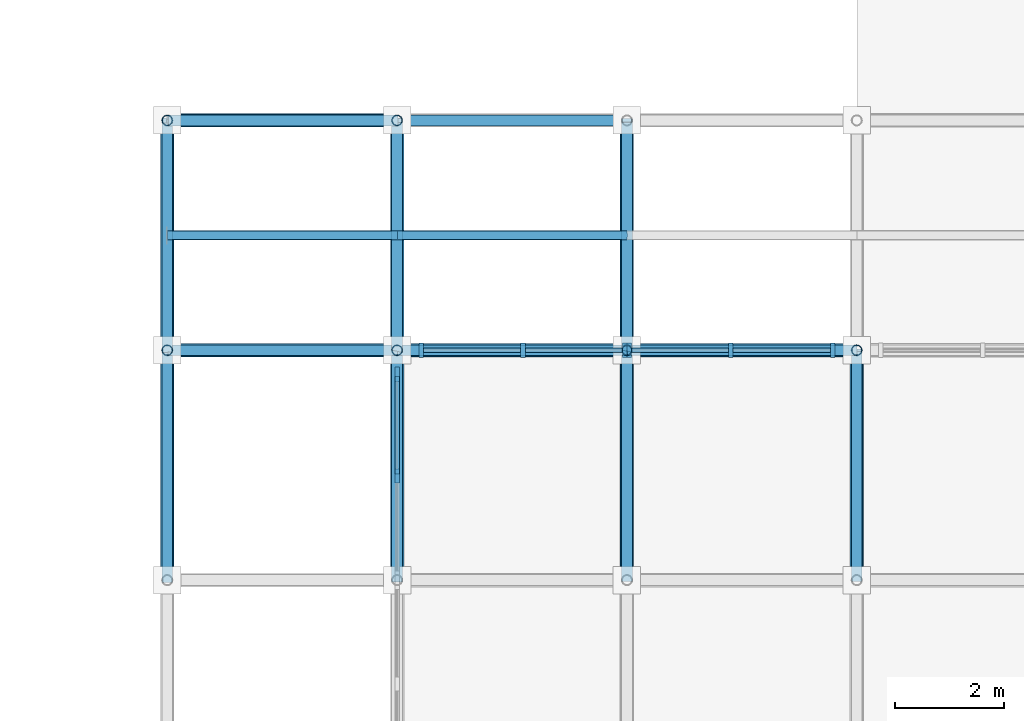
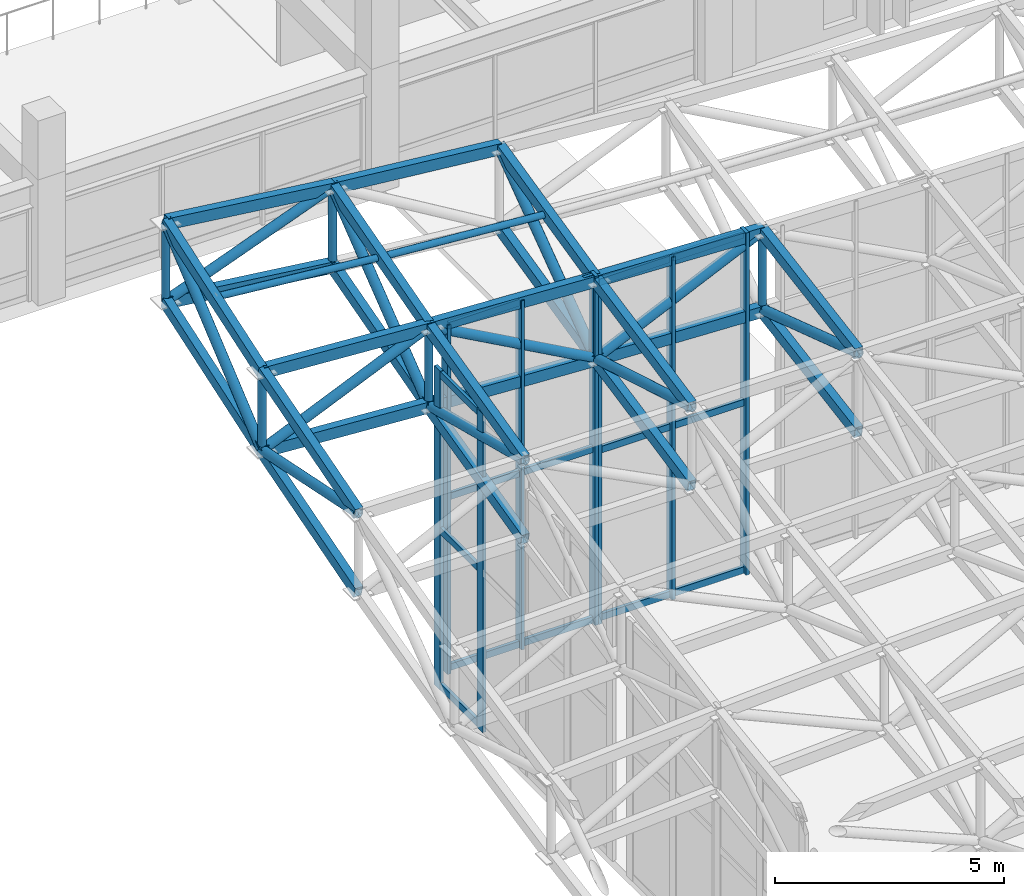
# One storey, part 53 of 123: 65 members, 3 elements without a shape of their own.
"""IFC4 building model written with IfcOpenShell, lengths in metres."""

from ifc_helpers import new_model, si_unit, direction, frame, origin, origin_2d, place, context, subcontext, project, spatial, rectangle, hollow_rectangle, hollow_circle, extrude, material, material_profile, profile_set, type_object, element, aggregate, save


model = new_model("IFC4")

# Units and contexts
model_context = context("Model", 3, precision=1e-05, world=origin(), true_north=direction((0.0, 1.0)))
body_context = subcontext(model_context, "Body", "Model", "MODEL_VIEW")
ifc_project = project(units=[si_unit("LENGTHUNIT", "METRE"), si_unit("AREAUNIT", "SQUARE_METRE"), si_unit("VOLUMEUNIT", "CUBIC_METRE"), si_unit("PLANEANGLEUNIT", "RADIAN"), si_unit("MASSUNIT", "GRAM", prefix="KILO")], contexts=[model_context])

# Site, building, storey
site_placement = place(None, origin())
site = spatial("IfcSite", under=ifc_project, at=site_placement, CompositionType="ELEMENT")
building_placement = place(site_placement, origin())
building = spatial("IfcBuilding", under=site, at=building_placement, Name="Cumbredor Promenade Congress Hotel", CompositionType="ELEMENT")
storey_placement = place(building_placement, frame((0.0, 0.0, 11.760009765625)))
storey = spatial("IfcBuildingStorey", under=building, at=storey_placement, Name="L03", CompositionType="ELEMENT", Elevation=11.760009765625)

# Members
ifc_material_1 = material(Name="Steel ASTM A500 Grade C", Category="steel")
ifc_material_profile_1 = material_profile(ifc_material_1, hollow_rectangle(XDim=0.199951171875, YDim=0.300048828125, WallThickness=0.012451171875, at=origin_2d()), Name="HSS 300x200x12.5")
ifc_profile_set_1 = profile_set([ifc_material_profile_1], Name="Steel ASTM A500 Grade C")
member_type_1 = type_object("IfcMemberType", Name="Ballroom Roof Space Frame Chord", PredefinedType="CHORD", material=ifc_profile_set_1)
for number, where, z_axis, x_axis, name in (
    (1, (138.60009765625, 67.199951171875, 9.600341796875), (0.997849616578, 0.0, -0.065544966967), (0.0, 1.0, 0.0), "Grand Ballroom Pavilion X Top Chord 1.17"),
    (2, (138.60009765625, 67.199951171875, 7.500244140625), (0.997853408642, 0.0, -0.065487211437), (0.0, 1.0, 0.0), "Grand Ballroom Pavilion X Bottom Chord 1.17"),
):
    element("IfcMember", number, at=place(storey_placement, frame(where, z_axis=z_axis, x_axis=x_axis)), inside=storey, type_object=member_type_1, Name=name, PredefinedType="CHORD", context=body_context, shape_type="SweptSolid", body=[
        extrude(hollow_rectangle(XDim=0.199951171875, YDim=0.300048828125, WallThickness=0.012451171875, at=origin_2d()), origin(), (0.0, 0.0, 1.0), 4.208984375),
    ])
for number, where, z_axis, x_axis, name in (
    (3, (142.800048828125, 67.199951171875, 9.324462890625), (0.998616064852, 0.0, -0.052592347541), (0.0, 1.0, 0.0), "Grand Ballroom Pavilion X Top Chord 2.17"),
    (4, (142.800048828125, 67.199951171875, 7.224609375), (0.998613014478, 0.0, -0.052650235664), (0.0, 1.0, 0.0), "Grand Ballroom Pavilion X Bottom Chord 2.17"),
):
    element("IfcMember", number, at=place(storey_placement, frame(where, z_axis=z_axis, x_axis=x_axis)), inside=storey, type_object=member_type_1, Name=name, PredefinedType="CHORD", context=body_context, shape_type="SweptSolid", body=[
        extrude(hollow_rectangle(XDim=0.199951171875, YDim=0.300048828125, WallThickness=0.012451171875, at=origin_2d()), origin(), (0.0, 0.0, 1.0), 4.205810546875),
    ])
member_1_placement = place(storey_placement, frame((147.0, 67.199951171875, 9.103271484375), z_axis=(0.999156566716, 0.0, -0.041062820012), x_axis=(0.0, 1.0, 0.0)))
element("IfcMember", 5, at=member_1_placement, inside=storey, type_object=member_type_1, Name="Grand Ballroom Pavilion X Top Chord 3.17", PredefinedType="CHORD", context=body_context, shape_type="SweptSolid", body=[
    extrude(hollow_rectangle(XDim=0.199951171875, YDim=0.300048828125, WallThickness=0.012451171875, at=origin_2d()), origin(), (0.0, 0.0, 1.0), 4.20361328125),
])
member_2_placement = place(storey_placement, frame((147.0, 67.199951171875, 7.003173828125), z_axis=(0.999158947972, 0.0, -0.04100483737), x_axis=(0.0, 1.0, 0.0)))
element("IfcMember", 6, at=member_2_placement, inside=storey, type_object=member_type_1, Name="Grand Ballroom Pavilion X Bottom Chord 3.17", PredefinedType="CHORD", context=body_context, shape_type="SweptSolid", body=[
    extrude(hollow_rectangle(XDim=0.199951171875, YDim=0.300048828125, WallThickness=0.012451171875, at=origin_2d()), origin(), (0.0, 0.0, 1.0), 4.203369140625),
])
for number, where, z_axis, x_axis, name in (
    (7, (138.60009765625, 71.39990234375, 11.017578125), (0.992527036972, 0.0, -0.122024919095), (0.0, 1.0, 0.0), "Grand Ballroom Pavilion X Top Chord 1.18"),
    (8, (138.60009765625, 71.39990234375, 8.91748046875), (0.992527036972, 0.0, -0.122024919095), (0.0, 1.0, 0.0), "Grand Ballroom Pavilion X Bottom Chord 1.18"),
):
    element("IfcMember", number, at=place(storey_placement, frame(where, z_axis=z_axis, x_axis=x_axis)), inside=storey, type_object=member_type_1, Name=name, PredefinedType="CHORD", context=body_context, shape_type="SweptSolid", body=[
        extrude(hollow_rectangle(XDim=0.199951171875, YDim=0.300048828125, WallThickness=0.012451171875, at=origin_2d()), origin(), (0.0, 0.0, 1.0), 4.231689453125),
    ])
member_3_placement = place(storey_placement, frame((142.800048828125, 71.39990234375, 10.501220703125), z_axis=(0.994998748006, 0.0, -0.099887393932), x_axis=(0.0, 1.0, 0.0)))
element("IfcMember", 9, at=member_3_placement, inside=storey, type_object=member_type_1, Name="Grand Ballroom Pavilion X Top Chord 2.18", PredefinedType="CHORD", context=body_context, shape_type="SweptSolid", body=[
    extrude(hollow_rectangle(XDim=0.199951171875, YDim=0.300048828125, WallThickness=0.012451171875, at=origin_2d()), origin(), (0.0, 0.0, 1.0), 4.220947265625),
])
for number, where, z_axis, x_axis, name in (
    (10, (138.60009765625, 63.0, 8.36376953125), (0.0, 0.959285548412, 0.282438022595), (-1.0, 0.0, 0.0), "Grand Ballroom Pavilion Y Top Chord 1.16"),
    (11, (138.60009765625, 63.0, 6.263916015625), (0.0, 0.959300655549, 0.282386706952), (-1.0, 0.0, 0.0), "Grand Ballroom Pavilion Y Bottom Chord 1.16"),
):
    element("IfcMember", number, at=place(storey_placement, frame(where, z_axis=z_axis, x_axis=x_axis)), inside=storey, type_object=member_type_1, Name=name, PredefinedType="CHORD", context=body_context, shape_type="SweptSolid", body=[
        extrude(hollow_rectangle(XDim=0.199951171875, YDim=0.300048828125, WallThickness=0.012451171875, at=origin_2d()), origin(), (0.0, 0.0, 1.0), 4.378173828125),
    ])
for number, where, z_axis, x_axis, name in (
    (12, (138.60009765625, 67.199951171875, 9.600341796875), (0.0, 0.947509174268, 0.319728579703), (-1.0, 0.0, 0.0), "Grand Ballroom Pavilion Y Top Chord 1.17"),
    (13, (138.60009765625, 67.199951171875, 7.500244140625), (0.0, 0.947509174268, 0.319728579703), (-1.0, 0.0, 0.0), "Grand Ballroom Pavilion Y Bottom Chord 1.17"),
):
    element("IfcMember", number, at=place(storey_placement, frame(where, z_axis=z_axis, x_axis=x_axis)), inside=storey, type_object=member_type_1, Name=name, PredefinedType="CHORD", context=body_context, shape_type="SweptSolid", body=[
        extrude(hollow_rectangle(XDim=0.199951171875, YDim=0.300048828125, WallThickness=0.012451171875, at=origin_2d()), origin(), (0.0, 0.0, 1.0), 4.4326171875),
    ])
for number, where, z_axis, x_axis, name in (
    (14, (142.800048828125, 63.0, 8.30126953125), (0.0, 0.971583409518, 0.236697440521), (-1.0, 0.0, 0.0), "Grand Ballroom Pavilion Y Top Chord 2.16"),
    (15, (142.800048828125, 63.0, 6.201171875), (0.0, 0.971570420011, 0.236750752816), (-1.0, 0.0, 0.0), "Grand Ballroom Pavilion Y Bottom Chord 2.16"),
):
    element("IfcMember", number, at=place(storey_placement, frame(where, z_axis=z_axis, x_axis=x_axis)), inside=storey, type_object=member_type_1, Name=name, PredefinedType="CHORD", context=body_context, shape_type="SweptSolid", body=[
        extrude(hollow_rectangle(XDim=0.199951171875, YDim=0.300048828125, WallThickness=0.012451171875, at=origin_2d()), origin(), (0.0, 0.0, 1.0), 4.32275390625),
    ])
for number, where, z_axis, x_axis, name in (
    (16, (142.800048828125, 67.199951171875, 9.324462890625), (0.0, 0.962918080617, 0.269793939927), (-1.0, 0.0, 0.0), "Grand Ballroom Pavilion Y Top Chord 2.17"),
    (17, (142.800048828125, 67.199951171875, 7.224609375), (0.0, 0.962932620853, 0.269742039173), (-1.0, 0.0, 0.0), "Grand Ballroom Pavilion Y Bottom Chord 2.17"),
):
    element("IfcMember", number, at=place(storey_placement, frame(where, z_axis=z_axis, x_axis=x_axis)), inside=storey, type_object=member_type_1, Name=name, PredefinedType="CHORD", context=body_context, shape_type="SweptSolid", body=[
        extrude(hollow_rectangle(XDim=0.199951171875, YDim=0.300048828125, WallThickness=0.012451171875, at=origin_2d()), origin(), (0.0, 0.0, 1.0), 4.361572265625),
    ])
for number, where, z_axis, x_axis, name in (
    (18, (147.0, 63.0, 8.253173828125), (0.0, 0.9801244518, 0.198383615716), (-1.0, 0.0, 0.0), "Grand Ballroom Pavilion Y Top Chord 3.16"),
    (19, (147.0, 63.0, 6.153076171875), (0.0, 0.9801244518, 0.198383615716), (-1.0, 0.0, 0.0), "Grand Ballroom Pavilion Y Bottom Chord 3.16"),
):
    element("IfcMember", number, at=place(storey_placement, frame(where, z_axis=z_axis, x_axis=x_axis)), inside=storey, type_object=member_type_1, Name=name, PredefinedType="CHORD", context=body_context, shape_type="SweptSolid", body=[
        extrude(hollow_rectangle(XDim=0.199951171875, YDim=0.300048828125, WallThickness=0.012451171875, at=origin_2d()), origin(), (0.0, 0.0, 1.0), 4.28515625),
    ])
for number, where, z_axis, x_axis, name in (
    (20, (147.0, 67.199951171875, 9.103271484375), (0.0, 0.97402922975, 0.226422303655), (-1.0, 0.0, 0.0), "Grand Ballroom Pavilion Y Top Chord 3.17"),
    (21, (147.0, 67.199951171875, 7.003173828125), (0.0, 0.974016741404, 0.226476019625), (-1.0, 0.0, 0.0), "Grand Ballroom Pavilion Y Bottom Chord 3.17"),
):
    element("IfcMember", number, at=place(storey_placement, frame(where, z_axis=z_axis, x_axis=x_axis)), inside=storey, type_object=member_type_1, Name=name, PredefinedType="CHORD", context=body_context, shape_type="SweptSolid", body=[
        extrude(hollow_rectangle(XDim=0.199951171875, YDim=0.300048828125, WallThickness=0.012451171875, at=origin_2d()), origin(), (0.0, 0.0, 1.0), 4.31201171875),
    ])
for number, where, z_axis, x_axis, name in (
    (22, (151.199951171875, 63.0, 8.215576171875), (0.0, 0.985813302851, 0.167845559731), (-1.0, 0.0, 0.0), "Grand Ballroom Pavilion Y Top Chord 4.16"),
    (23, (151.199951171875, 63.0, 6.115478515625), (0.0, 0.985803819477, 0.167901249263), (-1.0, 0.0, 0.0), "Grand Ballroom Pavilion Y Bottom Chord 4.16"),
):
    element("IfcMember", number, at=place(storey_placement, frame(where, z_axis=z_axis, x_axis=x_axis)), inside=storey, type_object=member_type_1, Name=name, PredefinedType="CHORD", context=body_context, shape_type="SweptSolid", body=[
        extrude(hollow_rectangle(XDim=0.199951171875, YDim=0.300048828125, WallThickness=0.012451171875, at=origin_2d()), origin(), (0.0, 0.0, 1.0), 4.260498046875),
    ])

# Curtain wall, members
ifc_material_2 = material(Name="Thermally broken anodized aluminium and low-E glass", Category="aluminium")
curtain_wall_type = type_object("IfcCurtainWallType", Name="Stepped Pavilion Clerestory Curtain Wall CW-06", PredefinedType="NOTDEFINED", material=ifc_material_2)
curtain_wall_1_placement = place(storey_placement, origin())
curtain_wall_1 = element("IfcCurtainWall", 24, at=curtain_wall_1_placement, inside=storey, type_object=curtain_wall_type, Name="Grand Ballroom Pavilion N Glazed Clerestory 1", PredefinedType="NOTDEFINED")
ifc_material_3 = material(Name="Thermally broken anodized aluminium", Category="aluminium")
ifc_material_profile_2 = material_profile(ifc_material_3, rectangle(XDim=0.0849609375, YDim=0.260009765625, at=origin_2d()), Name="ALU MULLION CLERESTORY 85x260")
ifc_profile_set_2 = profile_set([ifc_material_profile_2], Name="Thermally broken anodized aluminium")
member_type_2 = type_object("IfcMemberType", Name="Curtain Wall Mullion ML-04", PredefinedType="MULLION", material=ifc_profile_set_2)
member_4_placement = place(storey_placement, frame((143.239990234375, 67.199951171875, -0.01806640625), z_axis=(0.0, 0.0, 1.0), x_axis=(1.0, 0.0, 0.0)))
member_4 = element("IfcMember", 25, at=member_4_placement, type_object=member_type_2, Name="Grand Ballroom Pavilion N Glazed Clerestory 1 Mullion 1", PredefinedType="MULLION", context=body_context, shape_type="SweptSolid", body=[
    extrude(rectangle(XDim=0.0849609375, YDim=0.260009765625, at=origin_2d()), origin(), (0.0, 0.0, 1.0), 9.29736328125),
])
member_5_placement = place(storey_placement, frame((145.10009765625, 67.199951171875, -0.01806640625), z_axis=(0.0, 0.0, 1.0), x_axis=(1.0, 0.0, 0.0)))
member_5 = element("IfcMember", 26, at=member_5_placement, type_object=member_type_2, Name="Grand Ballroom Pavilion N Glazed Clerestory 1 Mullion 2", PredefinedType="MULLION", context=body_context, shape_type="SweptSolid", body=[
    extrude(rectangle(XDim=0.0849609375, YDim=0.260009765625, at=origin_2d()), origin(), (0.0, 0.0, 1.0), 9.29736328125),
])
member_6_placement = place(storey_placement, frame((146.9599609375, 67.199951171875, -0.01806640625), z_axis=(0.0, 0.0, 1.0), x_axis=(1.0, 0.0, 0.0)))
member_6 = element("IfcMember", 27, at=member_6_placement, type_object=member_type_2, Name="Grand Ballroom Pavilion N Glazed Clerestory 1 Mullion 3", PredefinedType="MULLION", context=body_context, shape_type="SweptSolid", body=[
    extrude(rectangle(XDim=0.0849609375, YDim=0.260009765625, at=origin_2d()), origin(), (0.0, 0.0, 1.0), 9.29736328125),
])

curtain_wall_2_placement = place(storey_placement, origin())
curtain_wall_2 = element("IfcCurtainWall", 28, at=curtain_wall_2_placement, inside=storey, type_object=curtain_wall_type, Name="Grand Ballroom Pavilion N Glazed Clerestory 2", PredefinedType="NOTDEFINED")
member_7_placement = place(storey_placement, frame((147.0400390625, 67.199951171875, -0.01806640625), z_axis=(0.0, 0.0, 1.0), x_axis=(1.0, 0.0, 0.0)))
member_7 = element("IfcMember", 29, at=member_7_placement, type_object=member_type_2, Name="Grand Ballroom Pavilion N Glazed Clerestory 2 Mullion 1", PredefinedType="MULLION", context=body_context, shape_type="SweptSolid", body=[
    extrude(rectangle(XDim=0.0849609375, YDim=0.260009765625, at=origin_2d()), origin(), (0.0, 0.0, 1.0), 9.124755859375),
])
member_8_placement = place(storey_placement, frame((148.89990234375, 67.199951171875, -0.01806640625), z_axis=(0.0, 0.0, 1.0), x_axis=(1.0, 0.0, 0.0)))
member_8 = element("IfcMember", 30, at=member_8_placement, type_object=member_type_2, Name="Grand Ballroom Pavilion N Glazed Clerestory 2 Mullion 2", PredefinedType="MULLION", context=body_context, shape_type="SweptSolid", body=[
    extrude(rectangle(XDim=0.0849609375, YDim=0.260009765625, at=origin_2d()), origin(), (0.0, 0.0, 1.0), 9.124755859375),
])
member_9_placement = place(storey_placement, frame((150.760009765625, 67.199951171875, -0.01806640625), z_axis=(0.0, 0.0, 1.0), x_axis=(1.0, 0.0, 0.0)))
member_9 = element("IfcMember", 31, at=member_9_placement, type_object=member_type_2, Name="Grand Ballroom Pavilion N Glazed Clerestory 2 Mullion 3", PredefinedType="MULLION", context=body_context, shape_type="SweptSolid", body=[
    extrude(rectangle(XDim=0.0849609375, YDim=0.260009765625, at=origin_2d()), origin(), (0.0, 0.0, 1.0), 9.124755859375),
])

curtain_wall_3_placement = place(storey_placement, origin())
curtain_wall_3 = element("IfcCurtainWall", 32, at=curtain_wall_3_placement, inside=storey, type_object=curtain_wall_type, Name="Grand Ballroom Pavilion W Glazed Clerestory 14", PredefinedType="NOTDEFINED")
member_10_placement = place(storey_placement, frame((142.800048828125, 64.89990234375, -0.01806640625), z_axis=(0.0, 0.0, 1.0), x_axis=(1.0, 0.0, 0.0)))
member_10 = element("IfcMember", 33, at=member_10_placement, type_object=member_type_2, Name="Grand Ballroom Pavilion W Glazed Clerestory 14 Mullion 2", PredefinedType="MULLION", context=body_context, shape_type="SweptSolid", body=[
    extrude(rectangle(XDim=0.0849609375, YDim=0.260009765625, at=origin_2d()), origin(), (0.0, 0.0, 1.0), 8.495361328125),
])
member_11_placement = place(storey_placement, frame((142.800048828125, 66.760009765625, -0.01806640625), z_axis=(0.0, 0.0, 1.0), x_axis=(1.0, 0.0, 0.0)))
member_11 = element("IfcMember", 34, at=member_11_placement, type_object=member_type_2, Name="Grand Ballroom Pavilion W Glazed Clerestory 14 Mullion 3", PredefinedType="MULLION", context=body_context, shape_type="SweptSolid", body=[
    extrude(rectangle(XDim=0.0849609375, YDim=0.260009765625, at=origin_2d()), origin(), (0.0, 0.0, 1.0), 8.495361328125),
])

# Member
ifc_material_profile_3 = material_profile(ifc_material_3, rectangle(XDim=0.080078125, YDim=0.179931640625, at=origin_2d()), Name="ALU TRANSOM 80x180")
ifc_profile_set_3 = profile_set([ifc_material_profile_3], Name="Thermally broken anodized aluminium")
member_type_3 = type_object("IfcMemberType", Name="Curtain Wall Transom TR-03", PredefinedType="USERDEFINED", material=ifc_profile_set_3)
member_12_placement = place(storey_placement, frame((143.282470703125, 67.199951171875, 0.080078125), z_axis=(1.0, 0.0, 0.0), x_axis=(0.0, 1.0, 0.0)))
member_12 = element("IfcMember", 35, at=member_12_placement, type_object=member_type_3, Name="Grand Ballroom Pavilion N Glazed Clerestory 1 Transom 1.1", ObjectType="TRANSOM", PredefinedType="USERDEFINED", context=body_context, shape_type="SweptSolid", body=[
    extrude(rectangle(XDim=0.080078125, YDim=0.179931640625, at=origin_2d()), origin(), (0.0, 0.0, 1.0), 1.775146484375),
])

member_13_placement = place(storey_placement, frame((143.282470703125, 67.199951171875, 4.6298828125), z_axis=(1.0, 0.0, 0.0), x_axis=(0.0, 1.0, 0.0)))
member_13 = element("IfcMember", 36, at=member_13_placement, type_object=member_type_3, Name="Grand Ballroom Pavilion N Glazed Clerestory 1 Transom 1.2", ObjectType="TRANSOM", PredefinedType="USERDEFINED", context=body_context, shape_type="SweptSolid", body=[
    extrude(rectangle(XDim=0.080078125, YDim=0.179931640625, at=origin_2d()), origin(), (0.0, 0.0, 1.0), 1.775146484375),
])

member_14_placement = place(storey_placement, frame((143.282470703125, 67.199951171875, 9.179931640625), z_axis=(1.0, 0.0, 0.0), x_axis=(0.0, 1.0, 0.0)))
member_14 = element("IfcMember", 37, at=member_14_placement, type_object=member_type_3, Name="Grand Ballroom Pavilion N Glazed Clerestory 1 Transom 1.3", ObjectType="TRANSOM", PredefinedType="USERDEFINED", context=body_context, shape_type="SweptSolid", body=[
    extrude(rectangle(XDim=0.080078125, YDim=0.179931640625, at=origin_2d()), origin(), (0.0, 0.0, 1.0), 1.775146484375),
])

member_15_placement = place(storey_placement, frame((145.142578125, 67.199951171875, 0.080078125), z_axis=(1.0, 0.0, 0.0), x_axis=(0.0, 1.0, 0.0)))
member_15 = element("IfcMember", 38, at=member_15_placement, type_object=member_type_3, Name="Grand Ballroom Pavilion N Glazed Clerestory 1 Transom 2.1", ObjectType="TRANSOM", PredefinedType="USERDEFINED", context=body_context, shape_type="SweptSolid", body=[
    extrude(rectangle(XDim=0.080078125, YDim=0.179931640625, at=origin_2d()), origin(), (0.0, 0.0, 1.0), 1.77490234375),
])

member_16_placement = place(storey_placement, frame((145.142578125, 67.199951171875, 4.6298828125), z_axis=(1.0, 0.0, 0.0), x_axis=(0.0, 1.0, 0.0)))
member_16 = element("IfcMember", 39, at=member_16_placement, type_object=member_type_3, Name="Grand Ballroom Pavilion N Glazed Clerestory 1 Transom 2.2", ObjectType="TRANSOM", PredefinedType="USERDEFINED", context=body_context, shape_type="SweptSolid", body=[
    extrude(rectangle(XDim=0.080078125, YDim=0.179931640625, at=origin_2d()), origin(), (0.0, 0.0, 1.0), 1.77490234375),
])

member_17_placement = place(storey_placement, frame((145.142578125, 67.199951171875, 9.179931640625), z_axis=(1.0, 0.0, 0.0), x_axis=(0.0, 1.0, 0.0)))
member_17 = element("IfcMember", 40, at=member_17_placement, type_object=member_type_3, Name="Grand Ballroom Pavilion N Glazed Clerestory 1 Transom 2.3", ObjectType="TRANSOM", PredefinedType="USERDEFINED", context=body_context, shape_type="SweptSolid", body=[
    extrude(rectangle(XDim=0.080078125, YDim=0.179931640625, at=origin_2d()), origin(), (0.0, 0.0, 1.0), 1.77490234375),
])

aggregate(curtain_wall_1, [member_4, member_5, member_6, member_12, member_13, member_14, member_15, member_16, member_17])

member_18_placement = place(storey_placement, frame((147.08251953125, 67.199951171875, 0.080078125), z_axis=(1.0, 0.0, 0.0), x_axis=(0.0, 1.0, 0.0)))
member_18 = element("IfcMember", 41, at=member_18_placement, type_object=member_type_3, Name="Grand Ballroom Pavilion N Glazed Clerestory 2 Transom 1.1", ObjectType="TRANSOM", PredefinedType="USERDEFINED", context=body_context, shape_type="SweptSolid", body=[
    extrude(rectangle(XDim=0.080078125, YDim=0.179931640625, at=origin_2d()), origin(), (0.0, 0.0, 1.0), 1.77490234375),
])

member_19_placement = place(storey_placement, frame((147.08251953125, 67.199951171875, 4.5400390625), z_axis=(1.0, 0.0, 0.0), x_axis=(0.0, 1.0, 0.0)))
member_19 = element("IfcMember", 42, at=member_19_placement, type_object=member_type_3, Name="Grand Ballroom Pavilion N Glazed Clerestory 2 Transom 1.2", ObjectType="TRANSOM", PredefinedType="USERDEFINED", context=body_context, shape_type="SweptSolid", body=[
    extrude(rectangle(XDim=0.080078125, YDim=0.179931640625, at=origin_2d()), origin(), (0.0, 0.0, 1.0), 1.77490234375),
])

member_20_placement = place(storey_placement, frame((147.08251953125, 67.199951171875, 9.010009765625), z_axis=(1.0, 0.0, 0.0), x_axis=(0.0, 1.0, 0.0)))
member_20 = element("IfcMember", 43, at=member_20_placement, type_object=member_type_3, Name="Grand Ballroom Pavilion N Glazed Clerestory 2 Transom 1.3", ObjectType="TRANSOM", PredefinedType="USERDEFINED", context=body_context, shape_type="SweptSolid", body=[
    extrude(rectangle(XDim=0.080078125, YDim=0.179931640625, at=origin_2d()), origin(), (0.0, 0.0, 1.0), 1.77490234375),
])

member_21_placement = place(storey_placement, frame((148.9423828125, 67.199951171875, 0.080078125), z_axis=(1.0, 0.0, 0.0), x_axis=(0.0, 1.0, 0.0)))
member_21 = element("IfcMember", 44, at=member_21_placement, type_object=member_type_3, Name="Grand Ballroom Pavilion N Glazed Clerestory 2 Transom 2.1", ObjectType="TRANSOM", PredefinedType="USERDEFINED", context=body_context, shape_type="SweptSolid", body=[
    extrude(rectangle(XDim=0.080078125, YDim=0.179931640625, at=origin_2d()), origin(), (0.0, 0.0, 1.0), 1.775146484375),
])

member_22_placement = place(storey_placement, frame((148.9423828125, 67.199951171875, 4.5400390625), z_axis=(1.0, 0.0, 0.0), x_axis=(0.0, 1.0, 0.0)))
member_22 = element("IfcMember", 45, at=member_22_placement, type_object=member_type_3, Name="Grand Ballroom Pavilion N Glazed Clerestory 2 Transom 2.2", ObjectType="TRANSOM", PredefinedType="USERDEFINED", context=body_context, shape_type="SweptSolid", body=[
    extrude(rectangle(XDim=0.080078125, YDim=0.179931640625, at=origin_2d()), origin(), (0.0, 0.0, 1.0), 1.775146484375),
])

member_23_placement = place(storey_placement, frame((148.9423828125, 67.199951171875, 9.010009765625), z_axis=(1.0, 0.0, 0.0), x_axis=(0.0, 1.0, 0.0)))
member_23 = element("IfcMember", 46, at=member_23_placement, type_object=member_type_3, Name="Grand Ballroom Pavilion N Glazed Clerestory 2 Transom 2.3", ObjectType="TRANSOM", PredefinedType="USERDEFINED", context=body_context, shape_type="SweptSolid", body=[
    extrude(rectangle(XDim=0.080078125, YDim=0.179931640625, at=origin_2d()), origin(), (0.0, 0.0, 1.0), 1.775146484375),
])

aggregate(curtain_wall_2, [member_7, member_8, member_9, member_18, member_19, member_20, member_21, member_22, member_23])

member_24_placement = place(storey_placement, frame((142.800048828125, 64.9423828125, 0.080078125), z_axis=(0.0, 1.0, 0.0), x_axis=(-1.0, 0.0, 0.0)))
member_24 = element("IfcMember", 47, at=member_24_placement, type_object=member_type_3, Name="Grand Ballroom Pavilion W Glazed Clerestory 14 Transom 2.1", ObjectType="TRANSOM", PredefinedType="USERDEFINED", context=body_context, shape_type="SweptSolid", body=[
    extrude(rectangle(XDim=0.080078125, YDim=0.179931640625, at=origin_2d()), origin(), (0.0, 0.0, 1.0), 1.775146484375),
])

member_25_placement = place(storey_placement, frame((142.800048828125, 64.9423828125, 4.22998046875), z_axis=(0.0, 1.0, 0.0), x_axis=(-1.0, 0.0, 0.0)))
member_25 = element("IfcMember", 48, at=member_25_placement, type_object=member_type_3, Name="Grand Ballroom Pavilion W Glazed Clerestory 14 Transom 2.2", ObjectType="TRANSOM", PredefinedType="USERDEFINED", context=body_context, shape_type="SweptSolid", body=[
    extrude(rectangle(XDim=0.080078125, YDim=0.179931640625, at=origin_2d()), origin(), (0.0, 0.0, 1.0), 1.775146484375),
])

member_26_placement = place(storey_placement, frame((142.800048828125, 64.9423828125, 8.3798828125), z_axis=(0.0, 1.0, 0.0), x_axis=(-1.0, 0.0, 0.0)))
member_26 = element("IfcMember", 49, at=member_26_placement, type_object=member_type_3, Name="Grand Ballroom Pavilion W Glazed Clerestory 14 Transom 2.3", ObjectType="TRANSOM", PredefinedType="USERDEFINED", context=body_context, shape_type="SweptSolid", body=[
    extrude(rectangle(XDim=0.080078125, YDim=0.179931640625, at=origin_2d()), origin(), (0.0, 0.0, 1.0), 1.775146484375),
])

aggregate(curtain_wall_3, [member_10, member_11, member_24, member_25, member_26])

# Members
ifc_material_profile_4 = material_profile(ifc_material_1, hollow_circle(Radius=0.084228515625, WallThickness=0.010009765625, at=origin_2d()), Name="CHS 168.3x10")
ifc_profile_set_4 = profile_set([ifc_material_profile_4], Name="Steel ASTM A500 Grade C")
member_type_4 = type_object("IfcMemberType", Name="Roof Purlin CHS168", PredefinedType="PURLIN", material=ifc_profile_set_4)
member_27_placement = place(storey_placement, frame((138.60009765625, 69.300048828125, 10.2890625), z_axis=(0.99557909429, 0.0, -0.093926923794), x_axis=(0.0, 1.0, 0.0)))
element("IfcMember", 50, at=member_27_placement, inside=storey, type_object=member_type_4, Name="Grand Ballroom Pavilion Roof Eave Purlin 1.17", PredefinedType="PURLIN", context=body_context, shape_type="SweptSolid", body=[
    extrude(hollow_circle(Radius=0.084228515625, WallThickness=0.010009765625, at=origin_2d()), origin(), (0.0, 0.0, 1.0), 4.218505859375),
])
member_28_placement = place(storey_placement, frame((142.800048828125, 69.300048828125, 9.892822265625), z_axis=(0.997086786034, 0.0, -0.07627542931), x_axis=(0.0, 1.0, 0.0)))
element("IfcMember", 51, at=member_28_placement, inside=storey, type_object=member_type_4, Name="Grand Ballroom Pavilion Roof Eave Purlin 2.17", PredefinedType="PURLIN", context=body_context, shape_type="SweptSolid", body=[
    extrude(hollow_circle(Radius=0.084228515625, WallThickness=0.010009765625, at=origin_2d()), origin(), (0.0, 0.0, 1.0), 4.212158203125),
])
ifc_material_profile_5 = material_profile(ifc_material_1, hollow_circle(Radius=0.122314453125, WallThickness=0.012451171875, at=origin_2d()), Name="CHS 244.5x12.5")
ifc_profile_set_5 = profile_set([ifc_material_profile_5], Name="Steel ASTM A500 Grade C")
member_type_5 = type_object("IfcMemberType", Name="Space Frame Web Diagonal D2", PredefinedType="BRACE", material=ifc_profile_set_5)
member_29_placement = place(storey_placement, frame((138.60009765625, 67.199951171875, 7.500244140625), z_axis=(0.917217484925, 0.0, 0.398386853884), x_axis=(0.0, 1.0, 0.0)))
element("IfcMember", 52, at=member_29_placement, inside=storey, type_object=member_type_5, Name="Grand Ballroom Pavilion X Web Diagonal 1.17", PredefinedType="BRACE", context=body_context, shape_type="SweptSolid", body=[
    extrude(hollow_circle(Radius=0.122314453125, WallThickness=0.012451171875, at=origin_2d()), origin(), (0.0, 0.0, 1.0), 4.5791015625),
])
member_30_placement = place(storey_placement, frame((142.800048828125, 67.199951171875, 9.324462890625), z_axis=(0.875218296148, 0.0, -0.483728161354), x_axis=(0.0, 1.0, 0.0)))
element("IfcMember", 53, at=member_30_placement, inside=storey, type_object=member_type_5, Name="Grand Ballroom Pavilion X Web Diagonal 2.17", PredefinedType="BRACE", context=body_context, shape_type="SweptSolid", body=[
    extrude(hollow_circle(Radius=0.122314453125, WallThickness=0.012451171875, at=origin_2d()), origin(), (0.0, 0.0, 1.0), 4.798828125),
])
member_31_placement = place(storey_placement, frame((147.0, 67.199951171875, 7.003173828125), z_axis=(0.90885876788, 0.0, 0.417103991886), x_axis=(0.0, 1.0, 0.0)))
element("IfcMember", 54, at=member_31_placement, inside=storey, type_object=member_type_5, Name="Grand Ballroom Pavilion X Web Diagonal 3.17", PredefinedType="BRACE", context=body_context, shape_type="SweptSolid", body=[
    extrude(hollow_circle(Radius=0.122314453125, WallThickness=0.012451171875, at=origin_2d()), origin(), (0.0, 0.0, 1.0), 4.62109375),
])
member_32_placement = place(storey_placement, frame((138.60009765625, 71.39990234375, 8.91748046875), z_axis=(0.935686100602, 0.0, 0.352833560112), x_axis=(0.0, 1.0, 0.0)))
element("IfcMember", 55, at=member_32_placement, inside=storey, type_object=member_type_5, Name="Grand Ballroom Pavilion X Web Diagonal 1.18", PredefinedType="BRACE", context=body_context, shape_type="SweptSolid", body=[
    extrude(hollow_circle(Radius=0.122314453125, WallThickness=0.012451171875, at=origin_2d()), origin(), (0.0, 0.0, 1.0), 4.488525390625),
])
member_33_placement = place(storey_placement, frame((138.60009765625, 63.0, 8.36376953125), z_axis=(0.0, 0.979510922515, -0.201391044175), x_axis=(-1.0, 0.0, 0.0)))
element("IfcMember", 56, at=member_33_placement, inside=storey, type_object=member_type_5, Name="Grand Ballroom Pavilion Y Web Diagonal 1.16", PredefinedType="BRACE", context=body_context, shape_type="SweptSolid", body=[
    extrude(hollow_circle(Radius=0.122314453125, WallThickness=0.012451171875, at=origin_2d()), origin(), (0.0, 0.0, 1.0), 4.287841796875),
])
member_34_placement = place(storey_placement, frame((138.60009765625, 67.199951171875, 7.500244140625), z_axis=(0.0, 0.766659209077, 0.642054247815), x_axis=(-1.0, 0.0, 0.0)))
element("IfcMember", 57, at=member_34_placement, inside=storey, type_object=member_type_5, Name="Grand Ballroom Pavilion Y Web Diagonal 1.17", PredefinedType="BRACE", context=body_context, shape_type="SweptSolid", body=[
    extrude(hollow_circle(Radius=0.122314453125, WallThickness=0.012451171875, at=origin_2d()), origin(), (0.0, 0.0, 1.0), 5.478271484375),
])
member_35_placement = place(storey_placement, frame((142.800048828125, 63.0, 8.30126953125), z_axis=(0.0, 0.968677759322, -0.248321160182), x_axis=(-1.0, 0.0, 0.0)))
element("IfcMember", 58, at=member_35_placement, inside=storey, type_object=member_type_5, Name="Grand Ballroom Pavilion Y Web Diagonal 2.16", PredefinedType="BRACE", context=body_context, shape_type="SweptSolid", body=[
    extrude(hollow_circle(Radius=0.122314453125, WallThickness=0.012451171875, at=origin_2d()), origin(), (0.0, 0.0, 1.0), 4.335693359375),
])
member_36_placement = place(storey_placement, frame((142.800048828125, 67.199951171875, 7.224609375), z_axis=(0.0, 0.788443180474, 0.615107593161), x_axis=(-1.0, 0.0, 0.0)))
element("IfcMember", 59, at=member_36_placement, inside=storey, type_object=member_type_5, Name="Grand Ballroom Pavilion Y Web Diagonal 2.17", PredefinedType="BRACE", context=body_context, shape_type="SweptSolid", body=[
    extrude(hollow_circle(Radius=0.122314453125, WallThickness=0.012451171875, at=origin_2d()), origin(), (0.0, 0.0, 1.0), 5.326904296875),
])
member_37_placement = place(storey_placement, frame((147.0, 63.0, 8.253173828125), z_axis=(0.0, 0.958451171748, -0.285256641246), x_axis=(-1.0, 0.0, 0.0)))
element("IfcMember", 60, at=member_37_placement, inside=storey, type_object=member_type_5, Name="Grand Ballroom Pavilion Y Web Diagonal 3.16", PredefinedType="BRACE", context=body_context, shape_type="SweptSolid", body=[
    extrude(hollow_circle(Radius=0.122314453125, WallThickness=0.012451171875, at=origin_2d()), origin(), (0.0, 0.0, 1.0), 4.382080078125),
])
member_38_placement = place(storey_placement, frame((147.0, 67.199951171875, 7.003173828125), z_axis=(0.0, 0.8067298843, 0.590920378543), x_axis=(-1.0, 0.0, 0.0)))
element("IfcMember", 61, at=member_38_placement, inside=storey, type_object=member_type_5, Name="Grand Ballroom Pavilion Y Web Diagonal 3.17", PredefinedType="BRACE", context=body_context, shape_type="SweptSolid", body=[
    extrude(hollow_circle(Radius=0.122314453125, WallThickness=0.012451171875, at=origin_2d()), origin(), (0.0, 0.0, 1.0), 5.2060546875),
])
member_39_placement = place(storey_placement, frame((151.199951171875, 63.0, 8.215576171875), z_axis=(0.0, 0.949710596851, -0.313129018505), x_axis=(-1.0, 0.0, 0.0)))
element("IfcMember", 62, at=member_39_placement, inside=storey, type_object=member_type_5, Name="Grand Ballroom Pavilion Y Web Diagonal 4.16", PredefinedType="BRACE", context=body_context, shape_type="SweptSolid", body=[
    extrude(hollow_circle(Radius=0.122314453125, WallThickness=0.012451171875, at=origin_2d()), origin(), (0.0, 0.0, 1.0), 4.42236328125),
])
ifc_material_profile_6 = material_profile(ifc_material_1, hollow_circle(Radius=0.096923828125, WallThickness=0.010009765625, at=origin_2d()), Name="CHS 193.7x10")
ifc_profile_set_6 = profile_set([ifc_material_profile_6], Name="Steel ASTM A500 Grade C")
member_type_6 = type_object("IfcMemberType", Name="Space Frame Web Post P1", PredefinedType="BRACE", material=ifc_profile_set_6)
for number, where, z_axis, x_axis, name in (
    (63, (138.60009765625, 67.199951171875, 7.500244140625), (0.0, 0.0, 1.0), (1.0, 0.0, 0.0), "Grand Ballroom Pavilion Space Frame Web Post 1.17"),
    (64, (138.60009765625, 71.39990234375, 8.91748046875), (0.0, 0.0, 1.0), (1.0, 0.0, 0.0), "Grand Ballroom Pavilion Space Frame Web Post 1.18"),
):
    element("IfcMember", number, at=place(storey_placement, frame(where, z_axis=z_axis, x_axis=x_axis)), inside=storey, type_object=member_type_6, Name=name, PredefinedType="BRACE", context=body_context, shape_type="SweptSolid", body=[
        extrude(hollow_circle(Radius=0.096923828125, WallThickness=0.010009765625, at=origin_2d()), origin(), (0.0, 0.0, 1.0), 2.10009765625),
    ])
member_40_placement = place(storey_placement, frame((142.800048828125, 67.199951171875, 7.224609375), z_axis=(0.0, 0.0, 1.0), x_axis=(1.0, 0.0, 0.0)))
element("IfcMember", 65, at=member_40_placement, inside=storey, type_object=member_type_6, Name="Grand Ballroom Pavilion Space Frame Web Post 2.17", PredefinedType="BRACE", context=body_context, shape_type="SweptSolid", body=[
    extrude(hollow_circle(Radius=0.096923828125, WallThickness=0.010009765625, at=origin_2d()), origin(), (0.0, 0.0, 1.0), 2.099853515625),
])
for number, where, z_axis, x_axis, name in (
    (66, (142.800048828125, 71.39990234375, 8.401123046875), (0.0, 0.0, 1.0), (1.0, 0.0, 0.0), "Grand Ballroom Pavilion Space Frame Web Post 2.18"),
    (67, (147.0, 67.199951171875, 7.003173828125), (0.0, 0.0, 1.0), (1.0, 0.0, 0.0), "Grand Ballroom Pavilion Space Frame Web Post 3.17"),
):
    element("IfcMember", number, at=place(storey_placement, frame(where, z_axis=z_axis, x_axis=x_axis)), inside=storey, type_object=member_type_6, Name=name, PredefinedType="BRACE", context=body_context, shape_type="SweptSolid", body=[
        extrude(hollow_circle(Radius=0.096923828125, WallThickness=0.010009765625, at=origin_2d()), origin(), (0.0, 0.0, 1.0), 2.10009765625),
    ])
member_41_placement = place(storey_placement, frame((151.199951171875, 67.199951171875, 6.830810546875), z_axis=(0.0, 0.0, 1.0), x_axis=(1.0, 0.0, 0.0)))
element("IfcMember", 68, at=member_41_placement, inside=storey, type_object=member_type_6, Name="Grand Ballroom Pavilion Space Frame Web Post 4.17", PredefinedType="BRACE", context=body_context, shape_type="SweptSolid", body=[
    extrude(hollow_circle(Radius=0.096923828125, WallThickness=0.010009765625, at=origin_2d()), origin(), (0.0, 0.0, 1.0), 2.099853515625),
])

save(model, "model.ifc")
